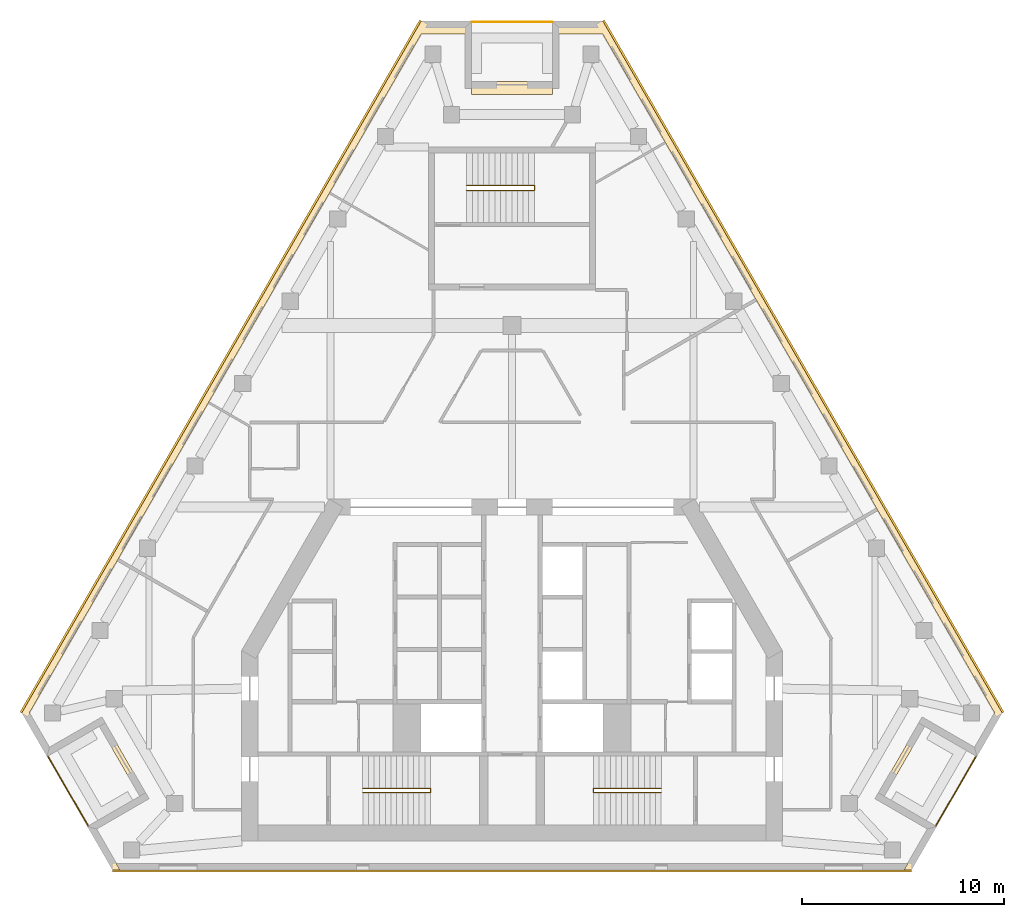
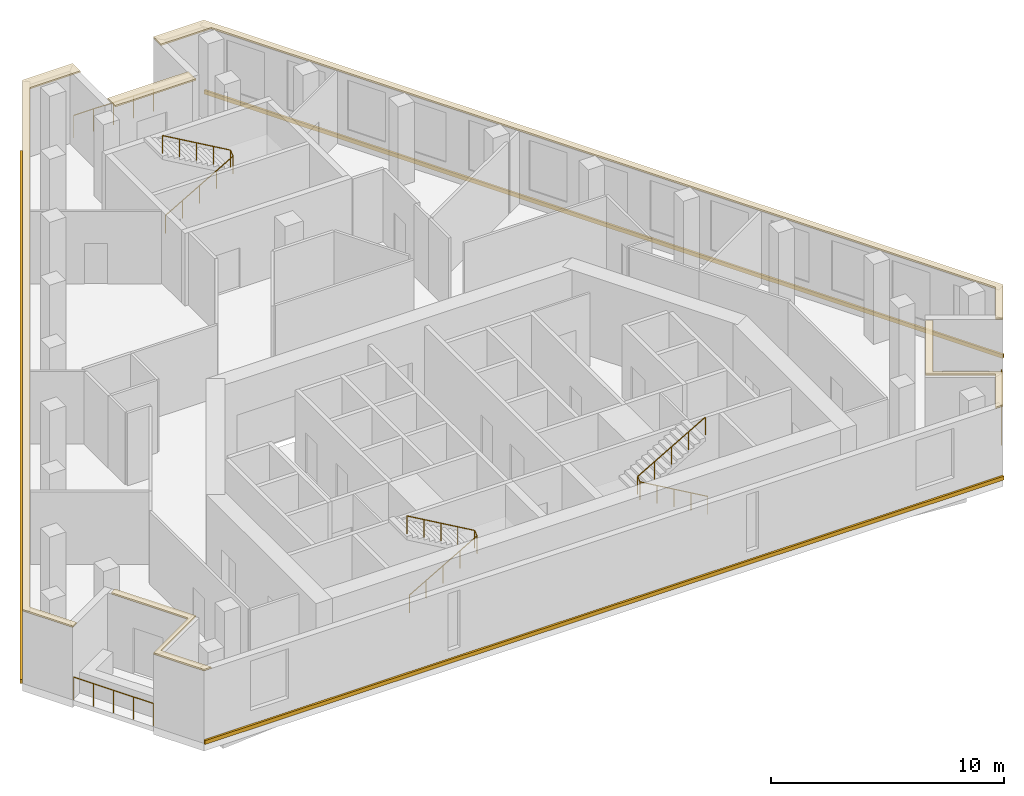
# One storey, part 8 of 8: 8 coverings, 6 railings.
"""IFC4 building model written with IfcOpenShell, lengths in metres."""

from ifc_helpers import new_model, si_unit, direction, frame, origin, origin_2d, place, context, subcontext, project, spatial, polyline, circle, outline, extrude, material, layer, layer_set, type_object, element, save


model = new_model("IFC4")

# Units and contexts
model_context = context("Model", 3, precision=1e-05, world=origin(), true_north=direction((0.0, 1.0)))
body_context = subcontext(model_context, "Body", "Model", "MODEL_VIEW")
ifc_project = project(units=[si_unit("LENGTHUNIT", "METRE"), si_unit("AREAUNIT", "SQUARE_METRE"), si_unit("VOLUMEUNIT", "CUBIC_METRE"), si_unit("PLANEANGLEUNIT", "RADIAN"), si_unit("MASSUNIT", "GRAM", prefix="KILO")], contexts=[model_context])

# Site, building, storey
site_placement = place(None, origin())
site = spatial("IfcSite", under=ifc_project, at=site_placement, CompositionType="ELEMENT")
building_placement = place(site_placement, origin())
building = spatial("IfcBuilding", under=site, at=building_placement, Name="Fogline Exchange Tower", CompositionType="ELEMENT")
storey_placement = place(building_placement, frame((0.0, 0.0, 330.89990234375)))
storey = spatial("IfcBuildingStorey", under=building, at=storey_placement, Name="L75", CompositionType="ELEMENT", Elevation=330.89990234375)

# Coverings
ifc_material_1 = material(Name="Granite", Category="masonry")
ifc_layer = layer(ifc_material_1, 0.080078125)
ifc_layer_set = layer_set([ifc_layer], Name="CP1")
covering_type_1 = type_object("IfcCoveringType", Name="CP1", PredefinedType="USERDEFINED", material=ifc_layer_set)
covering_1_placement = place(storey_placement, frame((0.0, 0.0, 3.800048828125)))
element("IfcCovering", 1, at=covering_1_placement, inside=storey, type_object=covering_type_1, Name="Ledge coping L75", ObjectType="COPING", PredefinedType="USERDEFINED", context=body_context, shape_type="SweptSolid", body=[
    extrude(outline(polyline([(-23.057373046875, 5.629150390625), (-22.778076171875, 5.790283203125), (-23.93505859375, 7.794189453125), (-4.5, 41.456787109375), (-2.0, 41.456787109375), (-2.0, 42.101806640625), (-4.5, 42.101806640625), (-24.307373046875, 7.794189453125), (-23.057373046875, 5.629150390625)])), origin(), (0.0, 0.0, 1.0), 0.080078125),
])
covering_2_placement = place(storey_placement, frame((0.0, 0.0, 3.800048828125)))
element("IfcCovering", 2, at=covering_2_placement, inside=storey, type_object=covering_type_1, Name="Ledge coping L75", ObjectType="COPING", PredefinedType="USERDEFINED", context=body_context, shape_type="SweptSolid", body=[
    extrude(outline(polyline([(-19.807373046875, 0.0), (-19.43505859375, 0.0), (-20.68505859375, 2.1650390625), (-18.0869140625, 3.6650390625), (-20.0869140625, 7.129150390625), (-20.3662109375, 6.968017578125), (-18.459228515625, 3.6650390625), (-21.057373046875, 2.1650390625), (-19.807373046875, 0.0)])), origin(), (0.0, 0.0, 1.0), 0.080078125),
])
covering_3_placement = place(storey_placement, frame((0.0, 0.0, 3.800048828125)))
element("IfcCovering", 3, at=covering_3_placement, inside=storey, type_object=covering_type_1, Name="Ledge coping L75", ObjectType="COPING", PredefinedType="USERDEFINED", context=body_context, shape_type="SweptSolid", body=[
    extrude(outline(polyline([(18.459228515625, 3.6650390625), (20.3662109375, 6.968017578125), (20.0869140625, 7.129150390625), (18.0869140625, 3.6650390625), (20.68505859375, 2.1650390625), (19.43505859375, 0.0), (19.807373046875, 0.0), (21.057373046875, 2.1650390625), (18.459228515625, 3.6650390625)])), origin(), (0.0, 0.0, 1.0), 0.080078125),
])
covering_4_placement = place(storey_placement, frame((0.0, 0.0, 3.800048828125)))
element("IfcCovering", 4, at=covering_4_placement, inside=storey, type_object=covering_type_1, Name="Ledge coping L75", ObjectType="COPING", PredefinedType="USERDEFINED", context=body_context, shape_type="SweptSolid", body=[
    extrude(outline(polyline([(2.0, 42.101806640625), (2.0, 41.456787109375), (4.5, 41.456787109375), (23.93505859375, 7.794189453125), (22.778076171875, 5.790283203125), (23.057373046875, 5.629150390625), (24.307373046875, 7.794189453125), (4.5, 42.101806640625), (2.0, 42.101806640625)])), origin(), (0.0, 0.0, 1.0), 0.080078125),
])
covering_5_placement = place(storey_placement, frame((0.0, 0.0, 3.800048828125)))
element("IfcCovering", 5, at=covering_5_placement, inside=storey, type_object=covering_type_1, Name="Ledge coping L75", ObjectType="COPING", PredefinedType="USERDEFINED", context=body_context, shape_type="SweptSolid", body=[
    extrude(outline(polyline([(2.0, 39.101806640625), (-2.0, 39.101806640625), (-2.0, 38.456787109375), (2.0, 38.456787109375), (2.0, 39.101806640625)])), origin(), (0.0, 0.0, 1.0), 0.080078125),
])

# Railings
ifc_material_2 = material(Name="Stainless steel 304", Category="steel")
railing_type_1 = type_object("IfcRailingType", Name="G1", PredefinedType="GUARDRAIL", material=ifc_material_2)
railing_1_placement = place(storey_placement, frame((-23.003662109375, 5.635986328125, 0.0)))
element("IfcRailing", 6, at=railing_1_placement, inside=storey, type_object=railing_type_1, Name="Balcony guard L75 SW", PredefinedType="GUARDRAIL", context=body_context, shape_type="SweptSolid", body=[
    extrude(circle(Radius=0.02392578125, at=origin_2d()), frame((0.0, 0.0, 1.17578125), z_axis=(0.500000102728, -0.866025344474, 0.0), x_axis=(0.866025344474, 0.500000102728, 0.0)), (0.0, 0.0, 1.0), 3.9580078125),
    extrude(circle(Radius=0.02099609375, at=origin_2d()), origin(), (0.0, 0.0, 1.0), 1.15185546875),
    extrude(circle(Radius=0.02099609375, at=origin_2d()), frame((0.49462890625, -0.85693359375, 0.0)), (0.0, 0.0, 1.0), 1.15185546875),
    extrude(circle(Radius=0.02099609375, at=origin_2d()), frame((0.989501953125, -1.7138671875, 0.0)), (0.0, 0.0, 1.0), 1.15185546875),
    extrude(circle(Radius=0.02099609375, at=origin_2d()), frame((1.484375, -2.57080078125, 0.0)), (0.0, 0.0, 1.0), 1.15185546875),
    extrude(circle(Radius=0.02099609375, at=origin_2d()), frame((1.97900390625, -3.427734375, 0.0)), (0.0, 0.0, 1.0), 1.15185546875),
])
railing_2_placement = place(storey_placement, frame((21.024658203125, 2.208251953125, 0.0)))
element("IfcRailing", 7, at=railing_2_placement, inside=storey, type_object=railing_type_1, Name="Balcony guard L75 SE", PredefinedType="GUARDRAIL", context=body_context, shape_type="SweptSolid", body=[
    extrude(circle(Radius=0.02392578125, at=origin_2d()), frame((0.0, 0.0, 1.17578125), z_axis=(0.500000102728, 0.866025344474, 0.0), x_axis=(-0.866025344474, 0.500000102728, 0.0)), (0.0, 0.0, 1.0), 3.9580078125),
    extrude(circle(Radius=0.02099609375, at=origin_2d()), origin(), (0.0, 0.0, 1.0), 1.15185546875),
    extrude(circle(Radius=0.02099609375, at=origin_2d()), frame((0.49462890625, 0.85693359375, 0.0)), (0.0, 0.0, 1.0), 1.15185546875),
    extrude(circle(Radius=0.02099609375, at=origin_2d()), frame((0.989501953125, 1.7138671875, 0.0)), (0.0, 0.0, 1.0), 1.15185546875),
    extrude(circle(Radius=0.02099609375, at=origin_2d()), frame((1.484375, 2.57080078125, 0.0)), (0.0, 0.0, 1.0), 1.15185546875),
    extrude(circle(Radius=0.02099609375, at=origin_2d()), frame((1.97900390625, 3.427734375, 0.0)), (0.0, 0.0, 1.0), 1.15185546875),
])
railing_3_placement = place(storey_placement, frame((1.97900390625, 42.0517578125, 0.0)))
element("IfcRailing", 8, at=railing_3_placement, inside=storey, type_object=railing_type_1, Name="Balcony guard L75 N", PredefinedType="GUARDRAIL", context=body_context, shape_type="SweptSolid", body=[
    extrude(circle(Radius=0.02392578125, at=origin_2d()), frame((0.0, 0.0, 1.17578125), z_axis=(-1.0, 0.0, 0.0), x_axis=(0.0, -1.0, 0.0)), (0.0, 0.0, 1.0), 3.9580078125),
    extrude(circle(Radius=0.02099609375, at=origin_2d()), origin(), (0.0, 0.0, 1.0), 1.15185546875),
    extrude(circle(Radius=0.02099609375, at=origin_2d()), frame((-0.989501953125, 0.0, 0.0)), (0.0, 0.0, 1.0), 1.15185546875),
    extrude(circle(Radius=0.02099609375, at=origin_2d()), frame((-1.97900390625, 0.0, 0.0)), (0.0, 0.0, 1.0), 1.15185546875),
    extrude(circle(Radius=0.02099609375, at=origin_2d()), frame((-2.968505859375, 0.0, 0.0)), (0.0, 0.0, 1.0), 1.15185546875),
    extrude(circle(Radius=0.02099609375, at=origin_2d()), frame((-3.9580078125, 0.0, 0.0)), (0.0, 0.0, 1.0), 1.15185546875),
])
ifc_material_3 = material(Name="Steel Q235B", Category="steel")
railing_type_2 = type_object("IfcRailingType", Name="RL-HR", PredefinedType="HANDRAIL", material=ifc_material_3)
railing_4_placement = place(storey_placement, frame((-7.39990234375, 3.85009765625, 0.16162109375)))
element("IfcRailing", 9, at=railing_4_placement, inside=storey, type_object=railing_type_2, Name="Handrail ST1", PredefinedType="HANDRAIL", context=body_context, shape_type="SweptSolid", body=[
    extrude(circle(Radius=0.02392578125, at=origin_2d()), frame((0.0, 0.0, 0.92578125), z_axis=(0.866175107563, 0.0, 0.499740615757), x_axis=(0.0, 1.0, 0.0)), (0.0, 0.0, 1.0), 3.87890625),
    extrude(circle(Radius=0.02392578125, at=origin_2d()), frame((3.35986328125, 0.0, 2.8642578125), z_axis=(0.0, 0.777709044463, 0.628624404682), x_axis=(-1.0, 0.0, 0.0)), (0.0, 0.0, 1.0), 0.257080078125),
    extrude(circle(Radius=0.02392578125, at=origin_2d()), frame((3.35986328125, 0.199951171875, 3.02587890625), z_axis=(-0.866175107563, 0.0, 0.499740615757), x_axis=(0.0, -1.0, 0.0)), (0.0, 0.0, 1.0), 3.87890625),
    extrude(circle(Radius=0.02099609375, at=origin_2d()), origin(), (0.0, 0.0, 1.0), 0.90185546875),
    extrude(circle(Radius=0.02099609375, at=origin_2d()), frame((0.83984375, 0.0, 0.484619140625)), (0.0, 0.0, 1.0), 0.90185546875),
    extrude(circle(Radius=0.02099609375, at=origin_2d()), frame((1.679931640625, 0.0, 0.96923828125)), (0.0, 0.0, 1.0), 0.90185546875),
    extrude(circle(Radius=0.02099609375, at=origin_2d()), frame((2.52001953125, 0.0, 1.453857421875)), (0.0, 0.0, 1.0), 0.90185546875),
    extrude(circle(Radius=0.02099609375, at=origin_2d()), frame((3.35986328125, 0.0, 1.9384765625)), (0.0, 0.0, 1.0), 0.90185546875),
    extrude(circle(Radius=0.02099609375, at=origin_2d()), frame((3.35986328125, 0.199951171875, 2.10009765625)), (0.0, 0.0, 1.0), 0.90185546875),
    extrude(circle(Radius=0.02099609375, at=origin_2d()), frame((2.52001953125, 0.199951171875, 2.584716796875)), (0.0, 0.0, 1.0), 0.90185546875),
    extrude(circle(Radius=0.02099609375, at=origin_2d()), frame((1.679931640625, 0.199951171875, 3.0693359375)), (0.0, 0.0, 1.0), 0.90185546875),
    extrude(circle(Radius=0.02099609375, at=origin_2d()), frame((0.83984375, 0.199951171875, 3.553955078125)), (0.0, 0.0, 1.0), 0.90185546875),
    extrude(circle(Radius=0.02099609375, at=origin_2d()), frame((0.0, 0.199951171875, 4.03857421875)), (0.0, 0.0, 1.0), 0.90185546875),
])
railing_5_placement = place(storey_placement, frame((7.39990234375, 3.85009765625, 0.16162109375)))
element("IfcRailing", 10, at=railing_5_placement, inside=storey, type_object=railing_type_2, Name="Handrail ST2", PredefinedType="HANDRAIL", context=body_context, shape_type="SweptSolid", body=[
    extrude(circle(Radius=0.02392578125, at=origin_2d()), frame((0.0, 0.0, 0.92578125), z_axis=(-0.866175107563, 0.0, 0.499740615757), x_axis=(0.0, -1.0, 0.0)), (0.0, 0.0, 1.0), 3.87890625),
    extrude(circle(Radius=0.02392578125, at=origin_2d()), frame((-3.35986328125, 0.0, 2.8642578125), z_axis=(0.0, 0.777709044463, 0.628624404682), x_axis=(-1.0, 0.0, 0.0)), (0.0, 0.0, 1.0), 0.257080078125),
    extrude(circle(Radius=0.02392578125, at=origin_2d()), frame((-3.35986328125, 0.199951171875, 3.02587890625), z_axis=(0.866175107563, 0.0, 0.499740615757), x_axis=(0.0, 1.0, 0.0)), (0.0, 0.0, 1.0), 3.87890625),
    extrude(circle(Radius=0.02099609375, at=origin_2d()), origin(), (0.0, 0.0, 1.0), 0.90185546875),
    extrude(circle(Radius=0.02099609375, at=origin_2d()), frame((-0.83984375, 0.0, 0.484619140625)), (0.0, 0.0, 1.0), 0.90185546875),
    extrude(circle(Radius=0.02099609375, at=origin_2d()), frame((-1.679931640625, 0.0, 0.96923828125)), (0.0, 0.0, 1.0), 0.90185546875),
    extrude(circle(Radius=0.02099609375, at=origin_2d()), frame((-2.52001953125, 0.0, 1.453857421875)), (0.0, 0.0, 1.0), 0.90185546875),
    extrude(circle(Radius=0.02099609375, at=origin_2d()), frame((-3.35986328125, 0.0, 1.9384765625)), (0.0, 0.0, 1.0), 0.90185546875),
    extrude(circle(Radius=0.02099609375, at=origin_2d()), frame((-3.35986328125, 0.199951171875, 2.10009765625)), (0.0, 0.0, 1.0), 0.90185546875),
    extrude(circle(Radius=0.02099609375, at=origin_2d()), frame((-2.52001953125, 0.199951171875, 2.584716796875)), (0.0, 0.0, 1.0), 0.90185546875),
    extrude(circle(Radius=0.02099609375, at=origin_2d()), frame((-1.679931640625, 0.199951171875, 3.0693359375)), (0.0, 0.0, 1.0), 0.90185546875),
    extrude(circle(Radius=0.02099609375, at=origin_2d()), frame((-0.83984375, 0.199951171875, 3.553955078125)), (0.0, 0.0, 1.0), 0.90185546875),
    extrude(circle(Radius=0.02099609375, at=origin_2d()), frame((0.0, 0.199951171875, 4.03857421875)), (0.0, 0.0, 1.0), 0.90185546875),
])
railing_6_placement = place(storey_placement, frame((-2.25, 33.70703125, 0.16162109375)))
element("IfcRailing", 11, at=railing_6_placement, inside=storey, type_object=railing_type_2, Name="Handrail ST3", PredefinedType="HANDRAIL", context=body_context, shape_type="SweptSolid", body=[
    extrude(circle(Radius=0.02392578125, at=origin_2d()), frame((0.0, 0.0, 0.92578125), z_axis=(0.866190824863, 0.0, 0.499713372768), x_axis=(0.0, 1.0, 0.0)), (0.0, 0.0, 1.0), 3.879150390625),
    extrude(circle(Radius=0.02392578125, at=origin_2d()), frame((3.360107421875, 0.0, 2.8642578125), z_axis=(0.0, 0.839790117141, 0.542911189011), x_axis=(-1.0, 0.0, 0.0)), (0.0, 0.0, 1.0), 0.297607421875),
    extrude(circle(Radius=0.02392578125, at=origin_2d()), frame((3.360107421875, 0.25, 3.02587890625), z_axis=(-0.866190824863, 0.0, 0.499713372768), x_axis=(0.0, -1.0, 0.0)), (0.0, 0.0, 1.0), 3.879150390625),
    extrude(circle(Radius=0.02099609375, at=origin_2d()), origin(), (0.0, 0.0, 1.0), 0.90185546875),
    extrude(circle(Radius=0.02099609375, at=origin_2d()), frame((0.840087890625, 0.0, 0.484619140625)), (0.0, 0.0, 1.0), 0.90185546875),
    extrude(circle(Radius=0.02099609375, at=origin_2d()), frame((1.68017578125, 0.0, 0.96923828125)), (0.0, 0.0, 1.0), 0.90185546875),
    extrude(circle(Radius=0.02099609375, at=origin_2d()), frame((2.52001953125, 0.0, 1.453857421875)), (0.0, 0.0, 1.0), 0.90185546875),
    extrude(circle(Radius=0.02099609375, at=origin_2d()), frame((3.360107421875, 0.0, 1.9384765625)), (0.0, 0.0, 1.0), 0.90185546875),
    extrude(circle(Radius=0.02099609375, at=origin_2d()), frame((3.360107421875, 0.25, 2.10009765625)), (0.0, 0.0, 1.0), 0.90185546875),
    extrude(circle(Radius=0.02099609375, at=origin_2d()), frame((2.52001953125, 0.25, 2.584716796875)), (0.0, 0.0, 1.0), 0.90185546875),
    extrude(circle(Radius=0.02099609375, at=origin_2d()), frame((1.68017578125, 0.25, 3.0693359375)), (0.0, 0.0, 1.0), 0.90185546875),
    extrude(circle(Radius=0.02099609375, at=origin_2d()), frame((0.840087890625, 0.25, 3.553955078125)), (0.0, 0.0, 1.0), 0.90185546875),
    extrude(circle(Radius=0.02099609375, at=origin_2d()), frame((0.0, 0.25, 4.03857421875)), (0.0, 0.0, 1.0), 0.90185546875),
])

# Coverings
ifc_material_4 = material(Name="Brick masonry", Category="masonry")
covering_type_2 = type_object("IfcCoveringType", Name="SB1", PredefinedType="CLADDING", material=ifc_material_4)
covering_6_placement = place(storey_placement, origin())
element("IfcCovering", 12, at=covering_6_placement, inside=storey, type_object=covering_type_2, Name="Stringcourse band L75 S", PredefinedType="CLADDING", context=body_context, shape_type="SweptSolid", body=[
    extrude(outline(polyline([(-19.807373046875, 0.0), (-19.807373046875, -0.10009765625), (19.807373046875, -0.10009765625), (19.807373046875, 0.0), (-19.807373046875, 0.0)])), origin(), (0.0, 0.0, 1.0), 0.2001953125),
])
covering_7_placement = place(storey_placement, origin())
element("IfcCovering", 13, at=covering_7_placement, inside=storey, type_object=covering_type_2, Name="Stringcourse band L75 E", PredefinedType="CLADDING", context=body_context, shape_type="SweptSolid", body=[
    extrude(outline(polyline([(24.307373046875, 7.794189453125), (24.39404296875, 7.84423828125), (4.586669921875, 42.151611328125), (4.5, 42.101806640625), (24.307373046875, 7.794189453125)])), origin(), (0.0, 0.0, 1.0), 0.2001953125),
])
covering_8_placement = place(storey_placement, origin())
element("IfcCovering", 14, at=covering_8_placement, inside=storey, type_object=covering_type_2, Name="Stringcourse band L75 W", PredefinedType="CLADDING", context=body_context, shape_type="SweptSolid", body=[
    extrude(outline(polyline([(-4.5, 42.101806640625), (-4.586669921875, 42.151611328125), (-24.39404296875, 7.84423828125), (-24.307373046875, 7.794189453125), (-4.5, 42.101806640625)])), origin(), (0.0, 0.0, 1.0), 0.2001953125),
])

save(model, "model.ifc")
